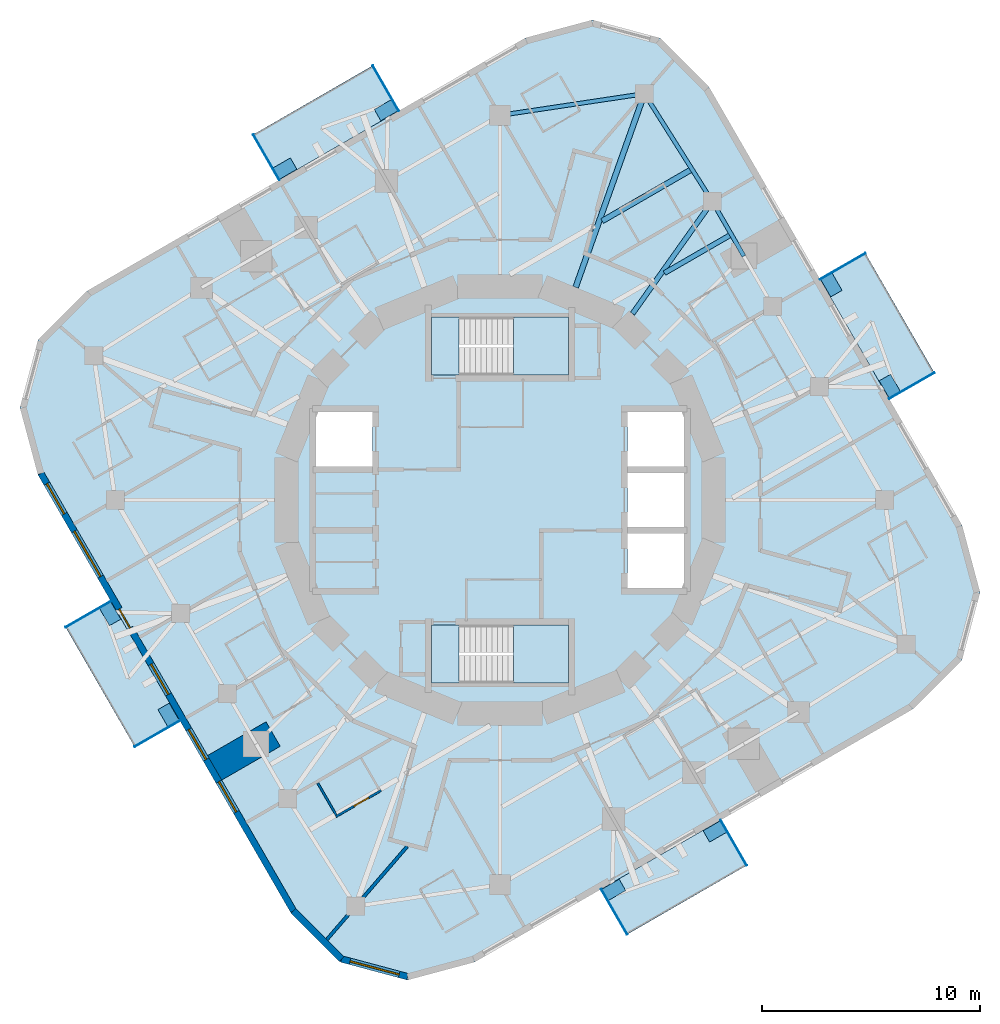
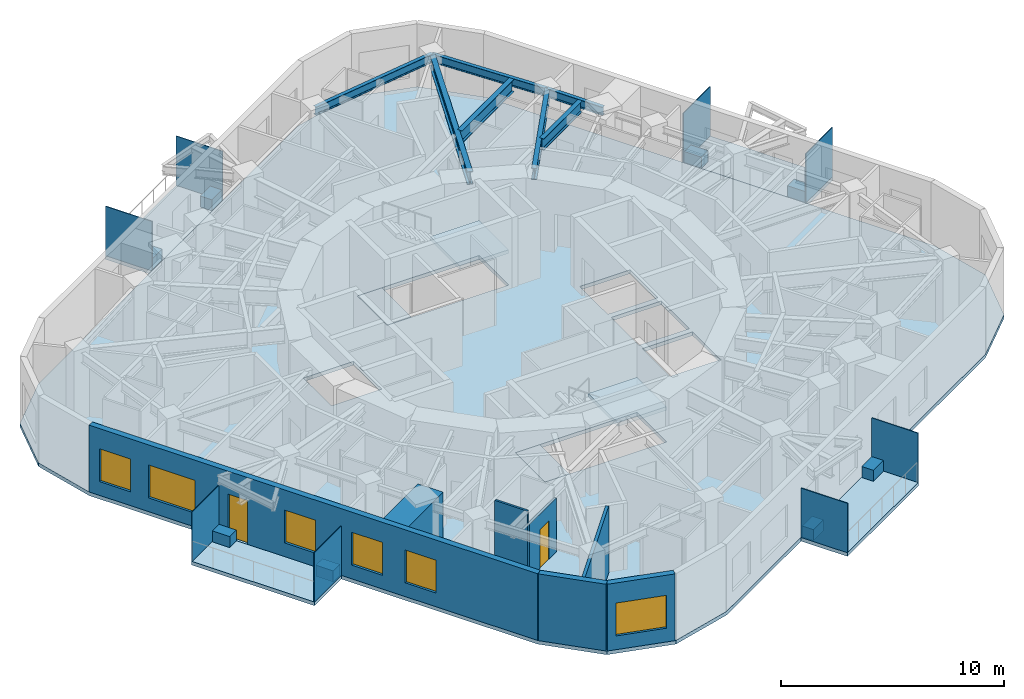
# One storey, part 3 of 11: 16 plates, 9 slabs, 7 beams, 7 walls, 6 windows, 2 doors, 8 openings, 2 elements without a shape of their own.
"""IFC4 building model written with IfcOpenShell, lengths in metres."""

from ifc_helpers import new_model, si_unit, direction, frame, frame_2d, origin, origin_2d, place, context, subcontext, project, spatial, polyline, rectangle, i_section, outline, extrude, material, layer, layer_set, material_profile, profile_set, type_object, element, fill, aggregate, save


model = new_model("IFC4")

# Units and contexts
model_context = context("Model", 3, precision=1e-05, world=origin(), true_north=direction((0.0, 1.0)))
body_context = subcontext(model_context, "Body", "Model", "MODEL_VIEW")
ifc_project = project(units=[si_unit("LENGTHUNIT", "METRE"), si_unit("AREAUNIT", "SQUARE_METRE"), si_unit("VOLUMEUNIT", "CUBIC_METRE"), si_unit("PLANEANGLEUNIT", "RADIAN"), si_unit("MASSUNIT", "GRAM", prefix="KILO")], contexts=[model_context])

# Site, building, storey
site_placement = place(None, origin())
site = spatial("IfcSite", under=ifc_project, at=site_placement, CompositionType="ELEMENT")
building_placement = place(site_placement, origin())
building = spatial("IfcBuilding", under=site, at=building_placement, Name="Nakasero Lantern House", CompositionType="ELEMENT")
storey_placement = place(building_placement, frame((0.0, 0.0, 234.64990234375)))
storey = spatial("IfcBuildingStorey", under=building, at=storey_placement, Name="L57", CompositionType="ELEMENT", Elevation=234.64990234375)

# Beams
ifc_material_1 = material(Name="Steel S355", Category="steel")
ifc_material_profile_1 = material_profile(ifc_material_1, i_section(OverallWidth=0.22900390625, OverallDepth=0.6123046875, WebThickness=0.011962890625, FlangeThickness=0.01953125, FilletRadius=0.0126953125, at=origin_2d()), Name="UB 610x229x125")
ifc_profile_set_1 = profile_set([ifc_material_profile_1], Name="Steel S355")
beam_type_1 = type_object("IfcBeamType", Name="Infill beam UB 610x229x125", PredefinedType="JOIST", material=ifc_profile_set_1)
beam_1_placement = place(storey_placement, frame((7.552001953125, 10.42236328125, 3.343994140625), z_axis=(0.866006607564, 0.500032554596, 0.0), x_axis=(-0.500032554596, 0.866006607564, 0.0)))
element("IfcBeam", 1, at=beam_1_placement, inside=storey, type_object=beam_type_1, Name="Infill beam L58 08.3", PredefinedType="JOIST", context=body_context, shape_type="SweptSolid", body=[
    extrude(i_section(OverallWidth=0.22900390625, OverallDepth=0.6123046875, WebThickness=0.011962890625, FlangeThickness=0.01953125, FilletRadius=0.0126953125, at=origin_2d()), origin(), (0.0, 0.0, 1.0), 3.452880859375),
])
ifc_material_2 = material(Name="Steel S355", Category="steel")
ifc_material_profile_2 = material_profile(ifc_material_2, i_section(OverallWidth=0.253662109375, OverallDepth=0.68359375, WebThickness=0.012451171875, FlangeThickness=0.01904296875, FilletRadius=0.01513671875, at=origin_2d()), Name="UB 686x254x140")
ifc_profile_set_2 = profile_set([ifc_material_profile_2], Name="Steel S355")
beam_type_2 = type_object("IfcBeamType", Name="Infill beam UB 686x254x140", PredefinedType="JOIST", material=ifc_profile_set_2)
beam_2_placement = place(storey_placement, frame((4.691162109375, 12.81201171875, 3.308349609375), z_axis=(0.866030607649, 0.499990986534, 0.0), x_axis=(-0.499990986534, 0.866030607649, 0.0)))
element("IfcBeam", 2, at=beam_2_placement, inside=storey, type_object=beam_type_2, Name="Infill beam L58 09.3", PredefinedType="JOIST", context=body_context, shape_type="SweptSolid", body=[
    extrude(i_section(OverallWidth=0.253662109375, OverallDepth=0.68359375, WebThickness=0.012451171875, FlangeThickness=0.01904296875, FilletRadius=0.01513671875, at=origin_2d()), origin(), (0.0, 0.0, 1.0), 4.66943359375),
])
ifc_material_3 = material(Name="Steel S355", Category="steel")
ifc_material_profile_3 = material_profile(ifc_material_3, i_section(OverallWidth=0.22900390625, OverallDepth=0.6123046875, WebThickness=0.011962890625, FlangeThickness=0.01953125, FilletRadius=0.0126953125, at=origin_2d()), Name="UB 610x229x125")
ifc_profile_set_3 = profile_set([ifc_material_profile_3], Name="Steel S355")
beam_type_3 = type_object("IfcBeamType", Name="Primary beam UB 610x229x125, span 6 to 9 m", PredefinedType="BEAM", material=ifc_profile_set_3)
beam_3_placement = place(storey_placement, frame((9.75048828125, 13.711669921875, 3.343994140625), z_axis=(-0.579504973637, -0.814968702178, 0.0), x_axis=(0.814968702178, -0.579504973637, 0.0)))
element("IfcBeam", 3, at=beam_3_placement, inside=storey, type_object=beam_type_3, Name="Primary beam L58 B6-C07", PredefinedType="BEAM", context=body_context, shape_type="SweptSolid", body=[
    extrude(i_section(OverallWidth=0.22900390625, OverallDepth=0.6123046875, WebThickness=0.011962890625, FlangeThickness=0.01953125, FilletRadius=0.0126953125, at=origin_2d()), origin(), (0.0, 0.0, 1.0), 6.320556640625),
])
ifc_material_4 = material(Name="Steel S355", Category="steel")
ifc_material_profile_4 = material_profile(ifc_material_4, i_section(OverallWidth=0.255859375, OverallDepth=0.69287109375, WebThickness=0.014404296875, FlangeThickness=0.023681640625, FilletRadius=0.01513671875, at=origin_2d()), Name="UB 686x254x170")
ifc_profile_set_4 = profile_set([ifc_material_profile_4], Name="Steel S355")
beam_type_4 = type_object("IfcBeamType", Name="Primary beam UB 686x254x170, span 9 to 12 m", PredefinedType="BEAM", material=ifc_profile_set_4)
beam_4_placement = place(storey_placement, frame((6.63525390625, 18.661376953125, 3.3037109375), z_axis=(-0.335006604588, -0.942215779364, 0.0), x_axis=(0.942215779364, -0.335006604588, 0.0)))
element("IfcBeam", 4, at=beam_4_placement, inside=storey, type_object=beam_type_4, Name="Primary beam L58 B6-C08", PredefinedType="BEAM", context=body_context, shape_type="SweptSolid", body=[
    extrude(i_section(OverallWidth=0.255859375, OverallDepth=0.69287109375, WebThickness=0.014404296875, FlangeThickness=0.023681640625, FilletRadius=0.01513671875, at=origin_2d()), origin(), (0.0, 0.0, 1.0), 9.4345703125),
])
ifc_material_5 = material(Name="Steel S355", Category="steel")
ifc_material_profile_5 = material_profile(ifc_material_5, i_section(OverallWidth=0.18994140625, OverallDepth=0.453369140625, WebThickness=0.008544921875, FlangeThickness=0.0126953125, FilletRadius=0.01025390625, at=origin_2d()), Name="UB 457x191x67")
ifc_profile_set_5 = profile_set([ifc_material_profile_5], Name="Steel S355")
beam_type_5 = type_object("IfcBeamType", Name="Ring beam UB 457x191x67", PredefinedType="BEAM", material=ifc_profile_set_5)
beam_5_placement = place(storey_placement, frame((9.75048828125, 13.711669921875, 3.42333984375), z_axis=(-0.532660471024, 0.846329027393, 0.0), x_axis=(-0.846329027393, -0.532660471024, 0.0)))
element("IfcBeam", 5, at=beam_5_placement, inside=storey, type_object=beam_type_5, Name="Ring beam L58 B6-C07", PredefinedType="BEAM", context=body_context, shape_type="SweptSolid", body=[
    extrude(i_section(OverallWidth=0.18994140625, OverallDepth=0.453369140625, WebThickness=0.008544921875, FlangeThickness=0.0126953125, FilletRadius=0.01025390625, at=origin_2d()), origin(), (0.0, 0.0, 1.0), 5.848388671875),
])
ifc_material_6 = material(Name="Steel S355", Category="steel")
ifc_material_profile_6 = material_profile(ifc_material_6, i_section(OverallWidth=0.19140625, OverallDepth=0.4599609375, WebThickness=0.010009765625, FlangeThickness=0.01611328125, FilletRadius=0.01025390625, at=origin_2d()), Name="UB 457x191x82")
ifc_profile_set_6 = profile_set([ifc_material_profile_6], Name="Steel S355")
beam_type_6 = type_object("IfcBeamType", Name="Ring beam UB 457x191x82", PredefinedType="BEAM", material=ifc_profile_set_6)
beam_6_placement = place(storey_placement, frame((11.200439453125, 11.200439453125, 3.420166015625), z_axis=(-0.500023687443, 0.866011727401, 0.0), x_axis=(-0.866011727401, -0.500023687443, 0.0)))
element("IfcBeam", 6, at=beam_6_placement, inside=storey, type_object=beam_type_6, Name="Ring beam L58 B6-C06", PredefinedType="BEAM", context=body_context, shape_type="SweptSolid", body=[
    extrude(i_section(OverallWidth=0.19140625, OverallDepth=0.4599609375, WebThickness=0.010009765625, FlangeThickness=0.01611328125, FilletRadius=0.01025390625, at=origin_2d()), origin(), (0.0, 0.0, 1.0), 2.899658203125),
])
beam_7_placement = place(storey_placement, frame((6.63525390625, 18.661376953125, 3.420166015625), z_axis=(-0.988956095107, -0.148208778253, 0.0), x_axis=(0.148208778253, -0.988956095107, 0.0)))
element("IfcBeam", 7, at=beam_7_placement, inside=storey, type_object=beam_type_6, Name="Ring beam L58 B6-C08", PredefinedType="BEAM", context=body_context, shape_type="SweptSolid", body=[
    extrude(i_section(OverallWidth=0.19140625, OverallDepth=0.4599609375, WebThickness=0.010009765625, FlangeThickness=0.01611328125, FilletRadius=0.01025390625, at=origin_2d()), origin(), (0.0, 0.0, 1.0), 6.70947265625),
])

# Plates
ifc_material_7 = material(Name="Aluminium 6063-T6", Category="aluminium")
ifc_layer_1 = layer(ifc_material_7, 0.60009765625)
ifc_layer_set_1 = layer_set([ifc_layer_1], Name="Balcony planter 600x900")
plate_type_1 = type_object("IfcPlateType", Name="Balcony planter 600x900", PredefinedType="USERDEFINED", material=ifc_layer_set_1)
for number, where, z_axis, x_axis, name in (
    (8, (17.901611328125, 5.2333984375, 0.0), (0.0, 0.0, 1.0), (0.866025403784, 0.5, 0.0), "Balcony PLANTER L57 BAL0A"),
    (9, (15.225830078125, 9.867919921875, 0.0), (0.0, 0.0, 1.0), (0.866025403784, 0.5, 0.0), "Balcony PLANTER L57 BAL0B"),
    (10, (-5.2333984375, 17.901611328125, 0.0), (0.0, 0.0, 1.0), (-0.5, 0.866025403784, 0.0), "Balcony PLANTER L57 BAL1A"),
    (11, (-9.867919921875, 15.225830078125, 0.0), (0.0, 0.0, 1.0), (-0.5, 0.866025403784, 0.0), "Balcony PLANTER L57 BAL1B"),
    (12, (-17.901611328125, -5.2333984375, 0.0), (0.0, 0.0, 1.0), (-0.866025403784, -0.5, 0.0), "Balcony PLANTER L57 BAL2A"),
    (13, (-15.225830078125, -9.867919921875, 0.0), (0.0, 0.0, 1.0), (-0.866025403784, -0.5, 0.0), "Balcony PLANTER L57 BAL2B"),
    (14, (5.2333984375, -17.901611328125, 0.0), (0.0, 0.0, 1.0), (0.5, -0.866025403784, 0.0), "Balcony PLANTER L57 BAL3A"),
    (15, (9.867919921875, -15.225830078125, 0.0), (0.0, 0.0, 1.0), (0.5, -0.866025403784, 0.0), "Balcony PLANTER L57 BAL3B"),
):
    element("IfcPlate", number, at=place(storey_placement, frame(where, z_axis=z_axis, x_axis=x_axis)), inside=storey, type_object=plate_type_1, Name=name, ObjectType="PLANTER", PredefinedType="USERDEFINED", context=body_context, shape_type="SweptSolid", body=[
        extrude(rectangle(XDim=0.60009765625, YDim=0.89990234375, at=origin_2d()), origin(), (0.0, 0.0, 1.0), 0.60009765625),
    ])
ifc_material_8 = material(Name="Aluminium 6063-T6", Category="aluminium")
ifc_layer_2 = layer(ifc_material_8, 0.0400390625)
ifc_layer_set_2 = layer_set([ifc_layer_2], Name="Balcony screen 2400x2700")
plate_type_2 = type_object("IfcPlateType", Name="Balcony screen 2400x2700", PredefinedType="SHEET", material=ifc_layer_set_2)
for number, where, z_axis, x_axis, name in (
    (16, (18.90869140625, 5.2490234375, 0.0), (0.0, 0.0, 1.0), (0.866025403784, 0.5, 0.0), "Balcony SCREEN L57 BAL0A"),
    (17, (15.7431640625, 10.732177734375, 0.0), (0.0, 0.0, 1.0), (0.866025403784, 0.5, 0.0), "Balcony SCREEN L57 BAL0B"),
    (18, (-5.2490234375, 18.90869140625, 0.0), (0.0, 0.0, 1.0), (-0.5, 0.866025403784, 0.0), "Balcony SCREEN L57 BAL1A"),
    (19, (-10.732177734375, 15.7431640625, 0.0), (0.0, 0.0, 1.0), (-0.5, 0.866025403784, 0.0), "Balcony SCREEN L57 BAL1B"),
    (20, (-18.90869140625, -5.2490234375, 0.0), (0.0, 0.0, 1.0), (-0.866025403784, -0.5, 0.0), "Balcony SCREEN L57 BAL2A"),
    (21, (-15.7431640625, -10.732177734375, 0.0), (0.0, 0.0, 1.0), (-0.866025403784, -0.5, 0.0), "Balcony SCREEN L57 BAL2B"),
    (22, (5.2490234375, -18.90869140625, 0.0), (0.0, 0.0, 1.0), (0.5, -0.866025403784, 0.0), "Balcony SCREEN L57 BAL3A"),
    (23, (10.732177734375, -15.7431640625, 0.0), (0.0, 0.0, 1.0), (0.5, -0.866025403784, 0.0), "Balcony SCREEN L57 BAL3B"),
):
    element("IfcPlate", number, at=place(storey_placement, frame(where, z_axis=z_axis, x_axis=x_axis)), inside=storey, type_object=plate_type_2, Name=name, PredefinedType="SHEET", context=body_context, shape_type="SweptSolid", body=[
        extrude(rectangle(XDim=2.39990234375, YDim=0.0400390625, at=origin_2d()), origin(), (0.0, 0.0, 1.0), 2.699951171875),
    ])

# Slabs
ifc_material_9 = material(Name="Concrete C35/45", Category="concrete")
ifc_layer_3 = layer(ifc_material_9, 0.199951171875)
ifc_layer_set_3 = layer_set([ifc_layer_3], Name="Balcony slab 200")
slab_type_1 = type_object("IfcSlabType", Name="Balcony slab 200", PredefinedType="USERDEFINED", material=ifc_layer_set_3)
slab_1_placement = place(storey_placement, frame((0.0, 0.0, -0.199951171875)))
element("IfcSlab", 24, at=slab_1_placement, inside=storey, type_object=slab_type_1, Name="Balcony L57 BAL0", ObjectType="BALCONY", PredefinedType="USERDEFINED", context=body_context, shape_type="SweptSolid", body=[
    extrude(outline(polyline([(17.879638671875, 4.6318359375), (19.9580078125, 5.831787109375), (16.772216796875, 11.349609375), (14.69384765625, 10.149658203125), (17.879638671875, 4.6318359375)])), origin(), (0.0, 0.0, 1.0), 0.199951171875),
])
slab_2_placement = place(storey_placement, frame((0.0, 0.0, -0.199951171875)))
element("IfcSlab", 25, at=slab_2_placement, inside=storey, type_object=slab_type_1, Name="Balcony L57 BAL1", ObjectType="BALCONY", PredefinedType="USERDEFINED", context=body_context, shape_type="SweptSolid", body=[
    extrude(outline(polyline([(-4.6318359375, 17.879638671875), (-5.831787109375, 19.9580078125), (-11.349609375, 16.772216796875), (-10.149658203125, 14.69384765625), (-4.6318359375, 17.879638671875)])), origin(), (0.0, 0.0, 1.0), 0.199951171875),
])
slab_3_placement = place(storey_placement, frame((0.0, 0.0, -0.199951171875)))
element("IfcSlab", 26, at=slab_3_placement, inside=storey, type_object=slab_type_1, Name="Balcony L57 BAL2", ObjectType="BALCONY", PredefinedType="USERDEFINED", context=body_context, shape_type="SweptSolid", body=[
    extrude(outline(polyline([(-17.879638671875, -4.6318359375), (-19.9580078125, -5.831787109375), (-16.772216796875, -11.349609375), (-14.69384765625, -10.149658203125), (-17.879638671875, -4.6318359375)])), origin(), (0.0, 0.0, 1.0), 0.199951171875),
])
slab_4_placement = place(storey_placement, frame((0.0, 0.0, -0.199951171875)))
element("IfcSlab", 27, at=slab_4_placement, inside=storey, type_object=slab_type_1, Name="Balcony L57 BAL3", ObjectType="BALCONY", PredefinedType="USERDEFINED", context=body_context, shape_type="SweptSolid", body=[
    extrude(outline(polyline([(4.6318359375, -17.879638671875), (5.831787109375, -19.9580078125), (11.349609375, -16.772216796875), (10.149658203125, -14.69384765625), (4.6318359375, -17.879638671875)])), origin(), (0.0, 0.0, 1.0), 0.199951171875),
])
ifc_material_10 = material(Name="Concrete C35/45", Category="concrete")
ifc_layer_4 = layer(ifc_material_10, 0.199951171875)
ifc_layer_set_4 = layer_set([ifc_layer_4], Name="Composite floor slab 200")
slab_type_2 = type_object("IfcSlabType", Name="Composite floor slab 200", PredefinedType="FLOOR", material=ifc_layer_set_4)
slab_5_placement = place(storey_placement, frame((0.0, 0.0, -0.199951171875)))
element("IfcSlab", 28, at=slab_5_placement, inside=storey, type_object=slab_type_2, Name="Floor slab L57", PredefinedType="FLOOR", context=body_context, shape_type="SweptSolid", body=[
    extrude(outline(polyline([(9.615234375, 18.94580078125), (7.345947265625, 21.21533203125), (4.245849609375, 22.0458984375), (1.14599609375, 21.21533203125), (-18.94580078125, 9.615234375), (-21.21533203125, 7.345947265625), (-22.0458984375, 4.245849609375), (-21.21533203125, 1.14599609375), (-9.615234375, -18.94580078125), (-7.345947265625, -21.21533203125), (-4.245849609375, -22.0458984375), (-1.14599609375, -21.21533203125), (18.94580078125, -9.615234375), (21.21533203125, -7.345947265625), (22.0458984375, -4.245849609375), (21.21533203125, -1.14599609375), (9.615234375, 18.94580078125)]), holes=[polyline([(-8.449951171875, 1.550048828125), (-5.85009765625, 1.550048828125), (-5.85009765625, 4.050048828125), (-8.449951171875, 4.050048828125), (-8.449951171875, 1.550048828125)]), polyline([(5.85009765625, -4.050048828125), (8.449951171875, -4.050048828125), (8.449951171875, -1.550048828125), (5.85009765625, -1.550048828125), (5.85009765625, -4.050048828125)]), polyline([(5.85009765625, -1.25), (8.449951171875, -1.25), (8.449951171875, 1.25), (5.85009765625, 1.25), (5.85009765625, -1.25)]), polyline([(5.85009765625, 1.550048828125), (8.449951171875, 1.550048828125), (8.449951171875, 4.050048828125), (5.85009765625, 4.050048828125), (5.85009765625, 1.550048828125)]), polyline([(-3.14990234375, 5.75), (3.14990234375, 5.75), (3.14990234375, 8.39990234375), (-3.14990234375, 8.39990234375), (-3.14990234375, 5.75)]), polyline([(-3.14990234375, -8.39990234375), (3.14990234375, -8.39990234375), (3.14990234375, -5.75), (-3.14990234375, -5.75), (-3.14990234375, -8.39990234375)])]), origin(), (0.0, 0.0, 1.0), 0.199951171875),
])

# Stair, slabs
ifc_material_11 = material(Name="Concrete C40/50", Category="concrete")
stair_type_1 = type_object("IfcStairType", Name="Escape stair ST1 22 risers", PredefinedType="HALF_TURN_STAIR", material=ifc_material_11)
stair_1_placement = place(storey_placement, origin())
stair_1 = element("IfcStair", 29, at=stair_1_placement, inside=storey, type_object=stair_type_1, Name="Escape stair ST1 L57", PredefinedType="HALF_TURN_STAIR")
ifc_material_12 = material(Name="Concrete C40/50", Category="concrete")
ifc_layer_5 = layer(ifc_material_12, 0.199951171875)
ifc_layer_set_5 = layer_set([ifc_layer_5], Name="Stair landing 200")
slab_type_3 = type_object("IfcSlabType", Name="Stair landing 200", PredefinedType="LANDING", material=ifc_layer_set_5)
slab_6_placement = place(storey_placement, frame((0.0, 0.0, -0.199951171875)))
slab_6 = element("IfcSlab", 30, at=slab_6_placement, type_object=slab_type_3, Name="ST1 landing 1", PredefinedType="LANDING", context=body_context, shape_type="SweptSolid", body=[
    extrude(outline(polyline([(-3.14990234375, 5.75), (-1.875, 5.75), (-1.875, 8.39990234375), (-3.14990234375, 8.39990234375), (-3.14990234375, 5.75)])), origin(), (0.0, 0.0, 1.0), 0.199951171875),
])
slab_7_placement = place(storey_placement, frame((0.0, 0.0, 1.72509765625)))
slab_7 = element("IfcSlab", 31, at=slab_7_placement, type_object=slab_type_3, Name="ST1 landing 2", PredefinedType="LANDING", context=body_context, shape_type="SweptSolid", body=[
    extrude(outline(polyline([(0.625, 5.75), (3.14990234375, 5.75), (3.14990234375, 8.39990234375), (0.625, 8.39990234375), (0.625, 5.75)])), origin(), (0.0, 0.0, 1.0), 0.199951171875),
])
aggregate(stair_1, [slab_6, slab_7])

ifc_material_13 = material(Name="Concrete C40/50", Category="concrete")
stair_type_2 = type_object("IfcStairType", Name="Escape stair ST2 22 risers", PredefinedType="HALF_TURN_STAIR", material=ifc_material_13)
stair_2_placement = place(storey_placement, origin())
stair_2 = element("IfcStair", 32, at=stair_2_placement, inside=storey, type_object=stair_type_2, Name="Escape stair ST2 L57", PredefinedType="HALF_TURN_STAIR")
slab_8_placement = place(storey_placement, frame((0.0, 0.0, -0.199951171875)))
slab_8 = element("IfcSlab", 33, at=slab_8_placement, type_object=slab_type_3, Name="ST2 landing 1", PredefinedType="LANDING", context=body_context, shape_type="SweptSolid", body=[
    extrude(outline(polyline([(-3.14990234375, -8.39990234375), (-1.875, -8.39990234375), (-1.875, -5.75), (-3.14990234375, -5.75), (-3.14990234375, -8.39990234375)])), origin(), (0.0, 0.0, 1.0), 0.199951171875),
])
slab_9_placement = place(storey_placement, frame((0.0, 0.0, 1.72509765625)))
slab_9 = element("IfcSlab", 34, at=slab_9_placement, type_object=slab_type_3, Name="ST2 landing 2", PredefinedType="LANDING", context=body_context, shape_type="SweptSolid", body=[
    extrude(outline(polyline([(0.625, -8.39990234375), (3.14990234375, -8.39990234375), (3.14990234375, -5.75), (0.625, -5.75), (0.625, -8.39990234375)])), origin(), (0.0, 0.0, 1.0), 0.199951171875),
])
aggregate(stair_2, [slab_8, slab_9])

# Wall
ifc_material_14 = material(Name="Blockwork", Category="masonry")
ifc_layer_6 = layer(ifc_material_14, 1.300048828125)
ifc_layer_set_6 = layer_set([ifc_layer_6], Name="Column pier 1300")
wall_type_1 = type_object("IfcWallType", Name="Column pier 1300", PredefinedType="PARTITIONING", material=ifc_layer_set_6)
wall_1_placement = place(storey_placement, frame((-10.4208984375, -10.75048828125, 0.0), z_axis=(0.0, 0.0, 1.0), x_axis=(-0.866063626216, -0.499933790963, 0.0)))
element("IfcWall", 35, at=wall_1_placement, inside=storey, type_object=wall_type_1, Name="Column pier L57 PN2-05", PredefinedType="PARTITIONING", context=body_context, shape_type="SweptSolid", body=[
    extrude(rectangle(XDim=3.10009765625, YDim=1.300048828125, at=frame_2d((1.550048828125, 0.0))), origin(), (0.0, 0.0, 1.0), 3.650146484375),
])

# Wall, opening, door
ifc_material_15 = material(Name="Blockwork", Category="masonry")
ifc_layer_7 = layer(ifc_material_15, 0.10009765625)
ifc_layer_set_7 = layer_set([ifc_layer_7], Name="En-suite wall 100")
wall_type_2 = type_object("IfcWallType", Name="En-suite wall 100", PredefinedType="PARTITIONING", material=ifc_layer_set_7)
wall_2_placement = place(storey_placement, frame((-5.46044921875, -13.342041015625, 0.0), z_axis=(0.0, 0.0, 1.0), x_axis=(-0.866006032174, -0.500033551112, 0.0)))
wall_2 = element("IfcWall", 36, at=wall_2_placement, inside=storey, type_object=wall_type_2, Name="En-suite wall L57 ES2-06", PredefinedType="PARTITIONING", context=body_context, shape_type="SweptSolid", body=[
    extrude(rectangle(XDim=2.400146484375, YDim=0.10009765625, at=frame_2d((1.2001953125, 0.0))), origin(), (0.0, 0.0, 1.0), 2.966552734375),
])
opening_1_placement = place(wall_2_placement, frame((0.64990234375, 0.0, 0.0)))
opening_1 = element("IfcOpeningElement", 37, at=opening_1_placement, cuts=wall_2, Name="Opening D02", PredefinedType="OPENING", context=body_context, shape_type="SweptSolid", body=[
    extrude(rectangle(XDim=0.800048828125, YDim=2.10009765625, at=frame_2d((0.39990234375, 1.050048828125))), frame((0.0, 0.070068359375, 0.0), z_axis=(0.0, -1.0, 0.0), x_axis=(1.0, 0.0, 0.0)), (0.0, 0.0, 1.0), 0.14013671875),
])
ifc_material_16 = material(Name="Timber C24", Category="wood")
door_type_1 = type_object("IfcDoorType", Name="En-suite door 800", OperationType="SINGLE_SWING_RIGHT", PredefinedType="DOOR", material=ifc_material_16)
door_1_placement = place(opening_1_placement, origin())
door_1 = element("IfcDoor", 38, at=door_1_placement, inside=storey, type_object=door_type_1, Name="Door L57 DE2-06", OperationType="SINGLE_SWING_LEFT", OverallHeight=2.10009765625, OverallWidth=0.800048828125, PredefinedType="DOOR", context=body_context, shape_type="SweptSolid", body=[
    extrude(rectangle(XDim=0.800048828125, YDim=2.10009765625, at=frame_2d((0.39990234375, 1.050048828125))), frame((0.0, 0.02490234375, 0.0), z_axis=(0.0, -1.0, 0.0), x_axis=(1.0, 0.0, 0.0)), (0.0, 0.0, 1.0), 0.050048828125),
])
fill(opening_1, door_1)

# Wall
wall_3_placement = place(storey_placement, frame((-8.37060546875, -13.001708984375, 0.0), z_axis=(0.0, 0.0, 1.0), x_axis=(0.499954529098, -0.86605165483, 0.0)))
element("IfcWall", 39, at=wall_3_placement, inside=storey, type_object=wall_type_2, Name="En-suite wall L57 EE2-06", PredefinedType="PARTITIONING", context=body_context, shape_type="SweptSolid", body=[
    extrude(rectangle(XDim=1.699951171875, YDim=0.10009765625, at=frame_2d((0.85009765625, 0.0))), origin(), (0.0, 0.0, 1.0), 3.650146484375),
])

# Wall, openings, door, windows
ifc_material_17 = material(Name="Aluminium rainscreen on blockwork", Category="masonry")
ifc_layer_8 = layer(ifc_material_17, 0.300048828125)
ifc_layer_set_8 = layer_set([ifc_layer_8], Name="Facade wall 300")
wall_type_3 = type_object("IfcWallType", Name="Facade wall 300", PredefinedType="SOLIDWALL", material=ifc_layer_set_8)
wall_4_placement = place(storey_placement, frame((-21.08544921875, 1.220947265625, 0.0), z_axis=(0.0, 0.0, 1.0), x_axis=(0.500003016864, -0.86602366199, 0.0)))
wall_4 = element("IfcWall", 40, at=wall_4_placement, inside=storey, type_object=wall_type_3, Name="Facade wall L57 FW2S", PredefinedType="SOLIDWALL", context=body_context, shape_type="SweptSolid", body=[
    extrude(rectangle(XDim=23.199951171875, YDim=0.300048828125, at=frame_2d((11.60009765625, 0.0))), origin(), (0.0, 0.0, 1.0), 3.650146484375),
])
opening_2_placement = place(wall_4_placement, frame((0.5458984375, 0.0, 0.75)))
opening_2 = element("IfcOpeningElement", 41, at=opening_2_placement, cuts=wall_4, Name="Opening W01", PredefinedType="OPENING", context=body_context, shape_type="SweptSolid", body=[
    extrude(rectangle(XDim=1.60009765625, YDim=1.800048828125, at=frame_2d((0.800048828125, 0.89990234375))), frame((0.0, 0.169921875, 0.0), z_axis=(0.0, -1.0, 0.0), x_axis=(1.0, 0.0, 0.0)), (0.0, 0.0, 1.0), 0.340087890625),
])
opening_3_placement = place(wall_4_placement, frame((10.11767578125, 0.0, 0.75)))
opening_3 = element("IfcOpeningElement", 42, at=opening_3_placement, cuts=wall_4, Name="Opening W01", PredefinedType="OPENING", context=body_context, shape_type="SweptSolid", body=[
    extrude(rectangle(XDim=1.60009765625, YDim=1.800048828125, at=frame_2d((0.800048828125, 0.89990234375))), frame((0.0, 0.169921875, 0.0), z_axis=(0.0, -1.0, 0.0), x_axis=(1.0, 0.0, 0.0)), (0.0, 0.0, 1.0), 0.340087890625),
])
opening_4_placement = place(wall_4_placement, frame((13.5751953125, 0.0, 0.75)))
opening_4 = element("IfcOpeningElement", 43, at=opening_4_placement, cuts=wall_4, Name="Opening W01", PredefinedType="OPENING", context=body_context, shape_type="SweptSolid", body=[
    extrude(rectangle(XDim=1.60009765625, YDim=1.800048828125, at=frame_2d((0.800048828125, 0.89990234375))), frame((0.0, 0.169921875, 0.0), z_axis=(0.0, -1.0, 0.0), x_axis=(1.0, 0.0, 0.0)), (0.0, 0.0, 1.0), 0.340087890625),
])
opening_5_placement = place(wall_4_placement, frame((16.349609375, 0.0, 0.75)))
opening_5 = element("IfcOpeningElement", 44, at=opening_5_placement, cuts=wall_4, Name="Opening W01", PredefinedType="OPENING", context=body_context, shape_type="SweptSolid", body=[
    extrude(rectangle(XDim=1.60009765625, YDim=1.800048828125, at=frame_2d((0.800048828125, 0.89990234375))), frame((0.0, 0.169921875, 0.0), z_axis=(0.0, -1.0, 0.0), x_axis=(1.0, 0.0, 0.0)), (0.0, 0.0, 1.0), 0.340087890625),
])
opening_6_placement = place(wall_4_placement, frame((3.071044921875, 0.0, 0.75)))
opening_6 = element("IfcOpeningElement", 45, at=opening_6_placement, cuts=wall_4, Name="Opening W03", PredefinedType="OPENING", context=body_context, shape_type="SweptSolid", body=[
    extrude(rectangle(XDim=2.39990234375, YDim=1.800048828125, at=frame_2d((1.199951171875, 0.89990234375))), frame((0.0, 0.169921875, 0.0), z_axis=(0.0, -1.0, 0.0), x_axis=(1.0, 0.0, 0.0)), (0.0, 0.0, 1.0), 0.340087890625),
])
opening_7_placement = place(wall_4_placement, frame((7.1904296875, 0.0, 0.0)))
opening_7 = element("IfcOpeningElement", 46, at=opening_7_placement, cuts=wall_4, Name="Opening D04", PredefinedType="OPENING", context=body_context, shape_type="SweptSolid", body=[
    extrude(rectangle(XDim=1.0, YDim=2.39990234375, at=frame_2d((0.5, 1.199951171875))), frame((0.0, 0.169921875, 0.0), z_axis=(0.0, -1.0, 0.0), x_axis=(1.0, 0.0, 0.0)), (0.0, 0.0, 1.0), 0.340087890625),
])
ifc_material_18 = material(Name="Aluminium 6063-T6 and glass", Category="aluminium")
door_type_2 = type_object("IfcDoorType", Name="Balcony door 1000x2400", OperationType="SINGLE_SWING_RIGHT", PredefinedType="DOOR", material=ifc_material_18)
door_2_placement = place(opening_7_placement, origin())
door_2 = element("IfcDoor", 47, at=door_2_placement, inside=storey, type_object=door_type_2, Name="Balcony door L57 DB2", OperationType="SINGLE_SWING_RIGHT", OverallHeight=2.39990234375, OverallWidth=1.0, PredefinedType="DOOR", context=body_context, shape_type="SweptSolid", body=[
    extrude(rectangle(XDim=1.0, YDim=2.39990234375, at=frame_2d((0.5, 1.199951171875))), frame((0.0, 0.02490234375, 0.0), z_axis=(0.0, -1.0, 0.0), x_axis=(1.0, 0.0, 0.0)), (0.0, 0.0, 1.0), 0.050048828125),
])
fill(opening_7, door_2)
ifc_material_19 = material(Name="Aluminium 6063-T6 and glass", Category="aluminium")
window_type_1 = type_object("IfcWindowType", Name="Bedroom window 1600x1800", PartitioningType="SINGLE_PANEL", PredefinedType="WINDOW", material=ifc_material_19)
window_1_placement = place(opening_2_placement, origin())
window_1 = element("IfcWindow", 48, at=window_1_placement, inside=storey, type_object=window_type_1, Name="Window L57 WN2-00", OverallHeight=1.800048828125, OverallWidth=1.60009765625, PartitioningType="SINGLE_PANEL", PredefinedType="WINDOW", context=body_context, shape_type="SweptSolid", body=[
    extrude(rectangle(XDim=1.60009765625, YDim=1.800048828125, at=frame_2d((0.800048828125, 0.89990234375))), frame((0.0, 0.030029296875, 0.0), z_axis=(0.0, -1.0, 0.0), x_axis=(1.0, 0.0, 0.0)), (0.0, 0.0, 1.0), 0.06005859375),
])
fill(opening_2, window_1)
window_2_placement = place(opening_3_placement, origin())
window_2 = element("IfcWindow", 49, at=window_2_placement, inside=storey, type_object=window_type_1, Name="Window L57 WN2-03", OverallHeight=1.800048828125, OverallWidth=1.60009765625, PartitioningType="SINGLE_PANEL", PredefinedType="WINDOW", context=body_context, shape_type="SweptSolid", body=[
    extrude(rectangle(XDim=1.60009765625, YDim=1.800048828125, at=frame_2d((0.800048828125, 0.89990234375))), frame((0.0, 0.030029296875, 0.0), z_axis=(0.0, -1.0, 0.0), x_axis=(1.0, 0.0, 0.0)), (0.0, 0.0, 1.0), 0.06005859375),
])
fill(opening_3, window_2)
window_3_placement = place(opening_4_placement, origin())
window_3 = element("IfcWindow", 50, at=window_3_placement, inside=storey, type_object=window_type_1, Name="Window L57 WN2-04", OverallHeight=1.800048828125, OverallWidth=1.60009765625, PartitioningType="SINGLE_PANEL", PredefinedType="WINDOW", context=body_context, shape_type="SweptSolid", body=[
    extrude(rectangle(XDim=1.60009765625, YDim=1.800048828125, at=frame_2d((0.800048828125, 0.89990234375))), frame((0.0, 0.030029296875, 0.0), z_axis=(0.0, -1.0, 0.0), x_axis=(1.0, 0.0, 0.0)), (0.0, 0.0, 1.0), 0.06005859375),
])
fill(opening_4, window_3)
window_4_placement = place(opening_5_placement, origin())
window_4 = element("IfcWindow", 51, at=window_4_placement, inside=storey, type_object=window_type_1, Name="Window L57 WN2-05", OverallHeight=1.800048828125, OverallWidth=1.60009765625, PartitioningType="SINGLE_PANEL", PredefinedType="WINDOW", context=body_context, shape_type="SweptSolid", body=[
    extrude(rectangle(XDim=1.60009765625, YDim=1.800048828125, at=frame_2d((0.800048828125, 0.89990234375))), frame((0.0, 0.030029296875, 0.0), z_axis=(0.0, -1.0, 0.0), x_axis=(1.0, 0.0, 0.0)), (0.0, 0.0, 1.0), 0.06005859375),
])
fill(opening_5, window_4)
ifc_material_20 = material(Name="Aluminium 6063-T6 and glass", Category="aluminium")
window_type_2 = type_object("IfcWindowType", Name="Lounge window 2400x1800", PartitioningType="SINGLE_PANEL", PredefinedType="WINDOW", material=ifc_material_20)
window_5_placement = place(opening_6_placement, origin())
window_5 = element("IfcWindow", 52, at=window_5_placement, inside=storey, type_object=window_type_2, Name="Window L57 WK2", OverallHeight=1.800048828125, OverallWidth=2.39990234375, PartitioningType="SINGLE_PANEL", PredefinedType="WINDOW", context=body_context, shape_type="SweptSolid", body=[
    extrude(rectangle(XDim=2.39990234375, YDim=1.800048828125, at=frame_2d((1.199951171875, 0.89990234375))), frame((0.0, 0.030029296875, 0.0), z_axis=(0.0, -1.0, 0.0), x_axis=(1.0, 0.0, 0.0)), (0.0, 0.0, 1.0), 0.06005859375),
])
fill(opening_6, window_5)

# Wall
wall_5_placement = place(storey_placement, frame((-9.4853515625, -18.870849609375, 0.0), z_axis=(0.0, 0.0, 1.0), x_axis=(0.707067801733, -0.707145758492, 0.0)))
element("IfcWall", 53, at=wall_5_placement, inside=storey, type_object=wall_type_3, Name="Facade wall L57 FW2C1", PredefinedType="SOLIDWALL", context=body_context, shape_type="SweptSolid", body=[
    extrude(rectangle(XDim=3.1318359375, YDim=0.300048828125, at=frame_2d((1.56591796875, 0.0))), origin(), (0.0, 0.0, 1.0), 3.650146484375),
])

# Wall, opening, window
wall_6_placement = place(storey_placement, frame((-7.27099609375, -21.08544921875, 0.0), z_axis=(0.0, 0.0, 1.0), x_axis=(0.965928914048, -0.258807521156, 0.0)))
wall_6 = element("IfcWall", 54, at=wall_6_placement, inside=storey, type_object=wall_type_3, Name="Facade wall L57 FW2C2", PredefinedType="SOLIDWALL", context=body_context, shape_type="SweptSolid", body=[
    extrude(rectangle(XDim=3.1318359375, YDim=0.300048828125, at=frame_2d((1.56591796875, 0.0))), origin(), (0.0, 0.0, 1.0), 3.650146484375),
])
opening_8_placement = place(wall_6_placement, frame((0.39990234375, 0.0, 0.75)))
opening_8 = element("IfcOpeningElement", 55, at=opening_8_placement, cuts=wall_6, Name="Opening W223", PredefinedType="OPENING", context=body_context, shape_type="SweptSolid", body=[
    extrude(rectangle(XDim=2.33203125, YDim=1.800048828125, at=frame_2d((1.166015625, 0.89990234375))), frame((0.0, 0.169921875, 0.0), z_axis=(0.0, -1.0, 0.0), x_axis=(1.0, 0.0, 0.0)), (0.0, 0.0, 1.0), 0.340087890625),
])
ifc_material_21 = material(Name="Aluminium 6063-T6 and glass", Category="aluminium")
window_type_3 = type_object("IfcWindowType", Name="Corner window 2332x1800", PartitioningType="SINGLE_PANEL", PredefinedType="WINDOW", material=ifc_material_21)
window_6_placement = place(opening_8_placement, origin())
window_6 = element("IfcWindow", 56, at=window_6_placement, inside=storey, type_object=window_type_3, Name="Window L57 WC2", OverallHeight=1.800048828125, OverallWidth=2.33203125, PartitioningType="SINGLE_PANEL", PredefinedType="WINDOW", context=body_context, shape_type="SweptSolid", body=[
    extrude(rectangle(XDim=2.33203125, YDim=1.800048828125, at=frame_2d((1.166015625, 0.89990234375))), frame((0.0, 0.030029296875, 0.0), z_axis=(0.0, -1.0, 0.0), x_axis=(1.0, 0.0, 0.0)), (0.0, 0.0, 1.0), 0.06005859375),
])
fill(opening_8, window_6)

# Wall
ifc_material_22 = material(Name="Blockwork", Category="masonry")
ifc_layer_9 = layer(ifc_material_22, 0.14990234375)
ifc_layer_set_9 = layer_set([ifc_layer_9], Name="Party wall 150")
wall_type_4 = type_object("IfcWallType", Name="Party wall 150", PredefinedType="PARTITIONING", material=ifc_layer_set_9)
wall_7_placement = place(storey_placement, frame((-4.263671875, -15.91259765625, 0.0), z_axis=(0.0, 0.0, 1.0), x_axis=(-0.653224504612, -0.75716427978, 0.0)))
element("IfcWall", 57, at=wall_7_placement, inside=storey, type_object=wall_type_4, Name="Party wall L57 PW3-00", PredefinedType="PARTITIONING", context=body_context, shape_type="SweptSolid", body=[
    extrude(rectangle(XDim=5.644287109375, YDim=0.14990234375, at=frame_2d((2.822265625, 0.0))), origin(), (0.0, 0.0, 1.0), 3.650146484375),
])

save(model, "model.ifc")
